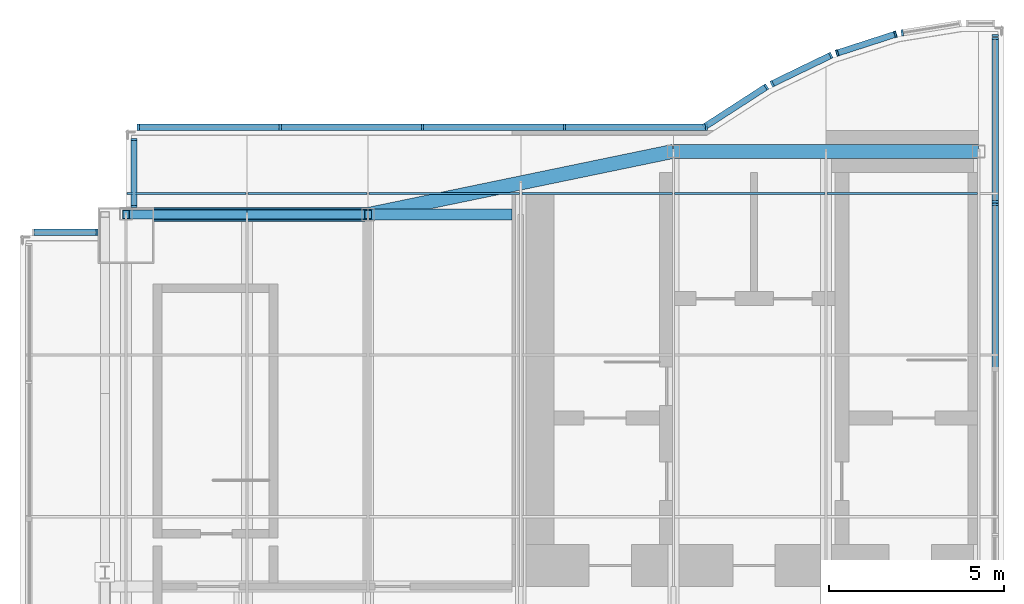
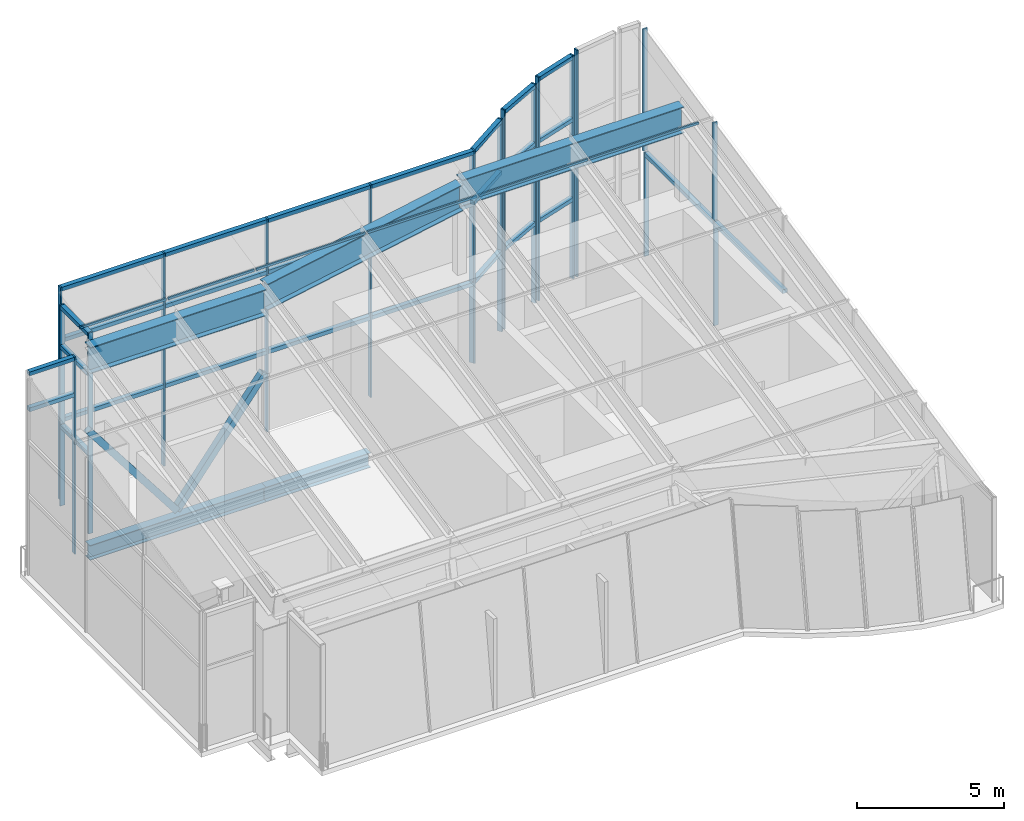
# One storey, part 3 of 8: 55 members, 5 beams, 10 elements without a shape of their own.
"""IFC4 building model written with IfcOpenShell, lengths in metres."""

from ifc_helpers import new_model, si_unit, direction, frame, origin, origin_2d, place, context, subcontext, project, spatial, rectangle, hollow_rectangle, i_section, extrude, material, material_profile, profile_set, type_object, element, aggregate, save


model = new_model("IFC4")

# Units and contexts
model_context = context("Model", 3, precision=1e-05, world=origin(), true_north=direction((0.0, 1.0)))
body_context = subcontext(model_context, "Body", "Model", "MODEL_VIEW")
ifc_project = project(units=[si_unit("LENGTHUNIT", "METRE"), si_unit("AREAUNIT", "SQUARE_METRE"), si_unit("VOLUMEUNIT", "CUBIC_METRE"), si_unit("PLANEANGLEUNIT", "RADIAN"), si_unit("MASSUNIT", "GRAM", prefix="KILO")], contexts=[model_context])

# Site, building, storey
site_placement = place(None, origin())
site = spatial("IfcSite", under=ifc_project, at=site_placement, CompositionType="ELEMENT")
building_placement = place(site_placement, origin())
building = spatial("IfcBuilding", under=site, at=building_placement, Name="Bicima Exchange Tower", CompositionType="ELEMENT")
storey_placement = place(building_placement, frame((0.0, 0.0, 379.39990234375)))
storey = spatial("IfcBuildingStorey", under=building, at=storey_placement, Name="L85", CompositionType="ELEMENT", Elevation=379.39990234375)

# Curtain wall, members
ifc_material_1 = material(Name="Anodised bronze aluminium", Category="aluminium")
curtain_wall_type = type_object("IfcCurtainWallType", Name="Crown glass wall", PredefinedType="NOTDEFINED", material=ifc_material_1)
curtain_wall_1_placement = place(storey_placement, origin())
curtain_wall_1 = element("IfcCurtainWall", 1, at=curtain_wall_1_placement, inside=storey, type_object=curtain_wall_type, Name="Crown glass wall L85 run 2", PredefinedType="NOTDEFINED")
ifc_material_profile_1 = material_profile(ifc_material_1, rectangle(XDim=0.179931640625, YDim=0.06005859375, at=origin_2d()))
ifc_profile_set_1 = profile_set([ifc_material_profile_1], Name="Anodised bronze aluminium")
member_type_1 = type_object("IfcMemberType", Name="Crown glass wall mullion 60 x 180", PredefinedType="MULLION", material=ifc_profile_set_1)
member_1_placement = place(storey_placement, frame((-8.22998046875, -2.109619140625, 0.0), z_axis=(0.0, 0.0, 1.0), x_axis=(-1.0, 0.0, 0.0)))
member_1 = element("IfcMember", 2, at=member_1_placement, type_object=member_type_1, Name="Crown glass wall mullion 5", PredefinedType="MULLION", context=body_context, shape_type="SweptSolid", body=[
    extrude(rectangle(XDim=0.179931640625, YDim=0.06005859375, at=origin_2d()), origin(), (0.0, 0.0, 1.0), 4.317626953125),
])
member_2_placement = place(storey_placement, frame((-8.22998046875, 2.613037109375, 0.0), z_axis=(0.0, 0.0, 1.0), x_axis=(-1.0, 0.0, 0.0)))
member_2 = element("IfcMember", 3, at=member_2_placement, type_object=member_type_1, Name="Crown glass wall mullion 6", PredefinedType="MULLION", context=body_context, shape_type="SweptSolid", body=[
    extrude(rectangle(XDim=0.179931640625, YDim=0.06005859375, at=origin_2d()), origin(), (0.0, 0.0, 1.0), 4.317626953125),
])

# Curtain wall, member
curtain_wall_2_placement = place(storey_placement, origin())
curtain_wall_2 = element("IfcCurtainWall", 4, at=curtain_wall_2_placement, inside=storey, type_object=curtain_wall_type, Name="Crown glass wall L85 run 4", PredefinedType="NOTDEFINED")
member_3_placement = place(storey_placement, frame((-10.878662109375, 2.777587890625, 0.0), z_axis=(0.0, 0.0, 1.0), x_axis=(0.159550386184, -0.987189786347, 0.0)))
member_3 = element("IfcMember", 5, at=member_3_placement, type_object=member_type_1, Name="Crown glass wall mullion 2", PredefinedType="MULLION", context=body_context, shape_type="SweptSolid", body=[
    extrude(rectangle(XDim=0.179931640625, YDim=0.06005859375, at=origin_2d()), origin(), (0.0, 0.0, 1.0), 9.377197265625),
])
aggregate(curtain_wall_2, [member_3])

# Curtain wall, members
curtain_wall_3_placement = place(storey_placement, origin())
curtain_wall_3 = element("IfcCurtainWall", 6, at=curtain_wall_3_placement, inside=storey, type_object=curtain_wall_type, Name="Crown glass wall L85 run 5", PredefinedType="NOTDEFINED")
member_4_placement = place(storey_placement, frame((-11.072998046875, 2.73779296875, 0.0), z_axis=(0.0, 0.0, 1.0), x_axis=(0.307572519808, -0.951524642381, 0.0)))
member_4 = element("IfcMember", 7, at=member_4_placement, type_object=member_type_1, Name="Crown glass wall mullion 1", PredefinedType="MULLION", context=body_context, shape_type="SweptSolid", body=[
    extrude(rectangle(XDim=0.179931640625, YDim=0.06005859375, at=origin_2d()), origin(), (0.0, 0.0, 1.0), 9.25390625),
])
member_5_placement = place(storey_placement, frame((-12.731689453125, 2.20166015625, 0.0), z_axis=(0.0, 0.0, 1.0), x_axis=(0.307572519808, -0.951524642381, 0.0)))
member_5 = element("IfcMember", 8, at=member_5_placement, type_object=member_type_1, Name="Crown glass wall mullion 2", PredefinedType="MULLION", context=body_context, shape_type="SweptSolid", body=[
    extrude(rectangle(XDim=0.179931640625, YDim=0.06005859375, at=origin_2d()), origin(), (0.0, 0.0, 1.0), 9.25390625),
])

curtain_wall_4_placement = place(storey_placement, origin())
curtain_wall_4 = element("IfcCurtainWall", 9, at=curtain_wall_4_placement, inside=storey, type_object=curtain_wall_type, Name="Crown glass wall L85 run 6", PredefinedType="NOTDEFINED")
member_6_placement = place(storey_placement, frame((-12.913818359375, 2.135009765625, 0.0), z_axis=(0.0, 0.0, 1.0), x_axis=(0.436264762204, -0.899818346812, 0.0)))
member_6 = element("IfcMember", 10, at=member_6_placement, type_object=member_type_1, Name="Crown glass wall mullion 1", PredefinedType="MULLION", context=body_context, shape_type="SweptSolid", body=[
    extrude(rectangle(XDim=0.179931640625, YDim=0.06005859375, at=origin_2d()), origin(), (0.0, 0.0, 1.0), 9.066650390625),
])
member_7_placement = place(storey_placement, frame((-14.585205078125, 1.32470703125, 0.0), z_axis=(0.0, 0.0, 1.0), x_axis=(0.436264762204, -0.899818346812, 0.0)))
member_7 = element("IfcMember", 11, at=member_7_placement, type_object=member_type_1, Name="Crown glass wall mullion 2", PredefinedType="MULLION", context=body_context, shape_type="SweptSolid", body=[
    extrude(rectangle(XDim=0.179931640625, YDim=0.06005859375, at=origin_2d()), origin(), (0.0, 0.0, 1.0), 9.066650390625),
])

curtain_wall_5_placement = place(storey_placement, origin())
curtain_wall_5 = element("IfcCurtainWall", 12, at=curtain_wall_5_placement, inside=storey, type_object=curtain_wall_type, Name="Crown glass wall L85 run 7", PredefinedType="NOTDEFINED")
member_8_placement = place(storey_placement, frame((-14.752685546875, 1.23681640625, 0.0), z_axis=(0.0, 0.0, 1.0), x_axis=(0.542910648791, -0.839790466384, 0.0)))
member_8 = element("IfcMember", 13, at=member_8_placement, type_object=member_type_1, Name="Crown glass wall mullion 1", PredefinedType="MULLION", context=body_context, shape_type="SweptSolid", body=[
    extrude(rectangle(XDim=0.179931640625, YDim=0.06005859375, at=origin_2d()), origin(), (0.0, 0.0, 1.0), 8.806396484375),
])
member_9_placement = place(storey_placement, frame((-16.505126953125, 0.10400390625, 0.0), z_axis=(0.0, 0.0, 1.0), x_axis=(0.542910648791, -0.839790466384, 0.0)))
member_9 = element("IfcMember", 14, at=member_9_placement, type_object=member_type_1, Name="Crown glass wall mullion 2", PredefinedType="MULLION", context=body_context, shape_type="SweptSolid", body=[
    extrude(rectangle(XDim=0.179931640625, YDim=0.06005859375, at=origin_2d()), origin(), (0.0, 0.0, 1.0), 8.806396484375),
])

curtain_wall_6_placement = place(storey_placement, origin())
curtain_wall_6 = element("IfcCurtainWall", 15, at=curtain_wall_6_placement, inside=storey, type_object=curtain_wall_type, Name="Crown glass wall L85 run 8", PredefinedType="NOTDEFINED")
member_10_placement = place(storey_placement, frame((-16.462158203125, 0.090087890625, 0.0), z_axis=(0.0, 0.0, 1.0), x_axis=(0.0, -1.0, 0.0)))
member_10 = element("IfcMember", 16, at=member_10_placement, type_object=member_type_1, Name="Crown glass wall mullion 1", PredefinedType="MULLION", context=body_context, shape_type="SweptSolid", body=[
    extrude(rectangle(XDim=0.179931640625, YDim=0.06005859375, at=origin_2d()), origin(), (0.0, 0.0, 1.0), 8.806884765625),
])
member_11_placement = place(storey_placement, frame((-20.509033203125, 0.090087890625, 0.0), z_axis=(0.0, 0.0, 1.0), x_axis=(0.0, -1.0, 0.0)))
member_11 = element("IfcMember", 17, at=member_11_placement, type_object=member_type_1, Name="Crown glass wall mullion 2", PredefinedType="MULLION", context=body_context, shape_type="SweptSolid", body=[
    extrude(rectangle(XDim=0.179931640625, YDim=0.06005859375, at=origin_2d()), origin(), (0.0, 0.0, 1.0), 8.806884765625),
])
member_12_placement = place(storey_placement, frame((-24.55615234375, 0.090087890625, 0.0), z_axis=(0.0, 0.0, 1.0), x_axis=(0.0, -1.0, 0.0)))
member_12 = element("IfcMember", 18, at=member_12_placement, type_object=member_type_1, Name="Crown glass wall mullion 3", PredefinedType="MULLION", context=body_context, shape_type="SweptSolid", body=[
    extrude(rectangle(XDim=0.179931640625, YDim=0.06005859375, at=origin_2d()), origin(), (0.0, 0.0, 1.0), 8.806884765625),
])
member_13_placement = place(storey_placement, frame((-28.60302734375, 0.090087890625, 0.0), z_axis=(0.0, 0.0, 1.0), x_axis=(0.0, -1.0, 0.0)))
member_13 = element("IfcMember", 19, at=member_13_placement, type_object=member_type_1, Name="Crown glass wall mullion 4", PredefinedType="MULLION", context=body_context, shape_type="SweptSolid", body=[
    extrude(rectangle(XDim=0.179931640625, YDim=0.06005859375, at=origin_2d()), origin(), (0.0, 0.0, 1.0), 8.806884765625),
])
member_14_placement = place(storey_placement, frame((-32.64990234375, 0.090087890625, 0.0), z_axis=(0.0, 0.0, 1.0), x_axis=(0.0, -1.0, 0.0)))
member_14 = element("IfcMember", 20, at=member_14_placement, type_object=member_type_1, Name="Crown glass wall mullion 5", PredefinedType="MULLION", context=body_context, shape_type="SweptSolid", body=[
    extrude(rectangle(XDim=0.179931640625, YDim=0.06005859375, at=origin_2d()), origin(), (0.0, 0.0, 1.0), 8.806884765625),
])

curtain_wall_7_placement = place(storey_placement, origin())
curtain_wall_7 = element("IfcCurtainWall", 21, at=curtain_wall_7_placement, inside=storey, type_object=curtain_wall_type, Name="Crown glass wall L85 run 9", PredefinedType="NOTDEFINED")
member_15_placement = place(storey_placement, frame((-32.77001953125, -0.260009765625, 0.0), z_axis=(0.0, 0.0, 1.0), x_axis=(1.0, 0.0, 0.0)))
member_15 = element("IfcMember", 22, at=member_15_placement, type_object=member_type_1, Name="Crown glass wall mullion 1", PredefinedType="MULLION", context=body_context, shape_type="SweptSolid", body=[
    extrude(rectangle(XDim=0.179931640625, YDim=0.06005859375, at=origin_2d()), origin(), (0.0, 0.0, 1.0), 8.320068359375),
])
member_16_placement = place(storey_placement, frame((-32.77001953125, -2.169921875, 0.0), z_axis=(0.0, 0.0, 1.0), x_axis=(1.0, 0.0, 0.0)))
member_16 = element("IfcMember", 23, at=member_16_placement, type_object=member_type_1, Name="Crown glass wall mullion 2", PredefinedType="MULLION", context=body_context, shape_type="SweptSolid", body=[
    extrude(rectangle(XDim=0.179931640625, YDim=0.06005859375, at=origin_2d()), origin(), (0.0, 0.0, 1.0), 8.320068359375),
])

# Curtain wall, member
curtain_wall_8_placement = place(storey_placement, origin())
curtain_wall_8 = element("IfcCurtainWall", 24, at=curtain_wall_8_placement, inside=storey, type_object=curtain_wall_type, Name="Crown glass wall L85 run 10", PredefinedType="NOTDEFINED")
member_17_placement = place(storey_placement, frame((-33.830078125, -2.909912109375, 0.0), z_axis=(0.0, 0.0, 1.0), x_axis=(0.0, -1.0, 0.0)))
member_17 = element("IfcMember", 25, at=member_17_placement, type_object=member_type_1, Name="Crown glass wall mullion 1", PredefinedType="MULLION", context=body_context, shape_type="SweptSolid", body=[
    extrude(rectangle(XDim=0.179931640625, YDim=0.06005859375, at=origin_2d()), origin(), (0.0, 0.0, 1.0), 8.169189453125),
])

# Curtain wall, members
curtain_wall_9_placement = place(storey_placement, origin())
curtain_wall_9 = element("IfcCurtainWall", 26, at=curtain_wall_9_placement, inside=storey, type_object=curtain_wall_type, Name="Gable glazing west 2", PredefinedType="NOTDEFINED")
member_18_placement = place(storey_placement, frame((-8.22998046875, -2.03759765625, 4.317626953125), z_axis=(0.0, 0.0, 1.0), x_axis=(-1.0, 0.0, 0.0)))
member_18 = element("IfcMember", 27, at=member_18_placement, type_object=member_type_1, Name="Gable glazing mullion 5", PredefinedType="MULLION", context=body_context, shape_type="SweptSolid", body=[
    extrude(rectangle(XDim=0.179931640625, YDim=0.06005859375, at=origin_2d()), origin(), (0.0, 0.0, 1.0), 4.037109375),
])
member_19_placement = place(storey_placement, frame((-8.22998046875, 2.702880859375, 4.317626953125), z_axis=(0.0, 0.0, 1.0), x_axis=(-1.0, 0.0, 0.0)))
member_19 = element("IfcMember", 28, at=member_19_placement, type_object=member_type_1, Name="Gable glazing mullion 6", PredefinedType="MULLION", context=body_context, shape_type="SweptSolid", body=[
    extrude(rectangle(XDim=0.179931640625, YDim=0.06005859375, at=origin_2d()), origin(), (0.0, 0.0, 1.0), 5.044677734375),
])
aggregate(curtain_wall_9, [member_18, member_19])

# Member
ifc_material_profile_2 = material_profile(ifc_material_1, rectangle(XDim=0.179931640625, YDim=0.159912109375, at=origin_2d()))
ifc_profile_set_2 = profile_set([ifc_material_profile_2], Name="Anodised bronze aluminium")
member_type_2 = type_object("IfcMemberType", Name="Crown glass wall transom 160 x 180", PredefinedType="USERDEFINED", material=ifc_profile_set_2)
member_20_placement = place(storey_placement, frame((-8.22998046875, -6.80224609375, 4.23779296875), z_axis=(0.0, 1.0, 0.0), x_axis=(-1.0, 0.0, 0.0)))
member_20 = element("IfcMember", 29, at=member_20_placement, type_object=member_type_2, Name="Crown glass wall transom 4.1", ObjectType="TRANSOM", PredefinedType="USERDEFINED", context=body_context, shape_type="SweptSolid", body=[
    extrude(rectangle(XDim=0.179931640625, YDim=0.159912109375, at=origin_2d()), origin(), (0.0, 0.0, 1.0), 4.66259765625),
])

member_21_placement = place(storey_placement, frame((-8.22998046875, -2.07958984375, 4.23779296875), z_axis=(0.0, 1.0, 0.0), x_axis=(-1.0, 0.0, 0.0)))
member_21 = element("IfcMember", 30, at=member_21_placement, type_object=member_type_2, Name="Crown glass wall transom 5.1", ObjectType="TRANSOM", PredefinedType="USERDEFINED", context=body_context, shape_type="SweptSolid", body=[
    extrude(rectangle(XDim=0.179931640625, YDim=0.159912109375, at=origin_2d()), origin(), (0.0, 0.0, 1.0), 4.66259765625),
])

aggregate(curtain_wall_1, [member_1, member_2, member_20, member_21])

member_22_placement = place(storey_placement, frame((-11.1015625, 2.728515625, 3.300048828125), z_axis=(-0.951488244605, -0.307685099376, 0.0), x_axis=(0.307685099376, -0.951488244605, 0.0)))
member_22 = element("IfcMember", 31, at=member_22_placement, type_object=member_type_2, Name="Crown glass wall transom 1.1", ObjectType="TRANSOM", PredefinedType="USERDEFINED", context=body_context, shape_type="SweptSolid", body=[
    extrude(rectangle(XDim=0.179931640625, YDim=0.159912109375, at=origin_2d()), origin(), (0.0, 0.0, 1.0), 1.682861328125),
])

member_23_placement = place(storey_placement, frame((-11.1015625, 2.728515625, 6.60009765625), z_axis=(-0.951488244605, -0.307685099376, 0.0), x_axis=(0.307685099376, -0.951488244605, 0.0)))
member_23 = element("IfcMember", 32, at=member_23_placement, type_object=member_type_2, Name="Crown glass wall transom 1.2", ObjectType="TRANSOM", PredefinedType="USERDEFINED", context=body_context, shape_type="SweptSolid", body=[
    extrude(rectangle(XDim=0.179931640625, YDim=0.159912109375, at=origin_2d()), origin(), (0.0, 0.0, 1.0), 1.682861328125),
])

member_24_placement = place(storey_placement, frame((-11.1015625, 2.728515625, 9.173828125), z_axis=(-0.951488244605, -0.307685099376, 0.0), x_axis=(0.307685099376, -0.951488244605, 0.0)))
member_24 = element("IfcMember", 33, at=member_24_placement, type_object=member_type_2, Name="Crown glass wall transom 1.3", ObjectType="TRANSOM", PredefinedType="USERDEFINED", context=body_context, shape_type="SweptSolid", body=[
    extrude(rectangle(XDim=0.179931640625, YDim=0.159912109375, at=origin_2d()), origin(), (0.0, 0.0, 1.0), 1.682861328125),
])

aggregate(curtain_wall_3, [member_4, member_5, member_22, member_23, member_24])

member_25_placement = place(storey_placement, frame((-12.94091796875, 2.121826171875, 3.300048828125), z_axis=(-0.899873884154, -0.436150195022, 0.0), x_axis=(0.436150195022, -0.899873884154, 0.0)))
member_25 = element("IfcMember", 34, at=member_25_placement, type_object=member_type_2, Name="Crown glass wall transom 1.1", ObjectType="TRANSOM", PredefinedType="USERDEFINED", context=body_context, shape_type="SweptSolid", body=[
    extrude(rectangle(XDim=0.179931640625, YDim=0.159912109375, at=origin_2d()), origin(), (0.0, 0.0, 1.0), 1.79736328125),
])

member_26_placement = place(storey_placement, frame((-12.94091796875, 2.121826171875, 6.60009765625), z_axis=(-0.899873884154, -0.436150195022, 0.0), x_axis=(0.436150195022, -0.899873884154, 0.0)))
member_26 = element("IfcMember", 35, at=member_26_placement, type_object=member_type_2, Name="Crown glass wall transom 1.2", ObjectType="TRANSOM", PredefinedType="USERDEFINED", context=body_context, shape_type="SweptSolid", body=[
    extrude(rectangle(XDim=0.179931640625, YDim=0.159912109375, at=origin_2d()), origin(), (0.0, 0.0, 1.0), 1.79736328125),
])

member_27_placement = place(storey_placement, frame((-12.94091796875, 2.121826171875, 8.986572265625), z_axis=(-0.899873884154, -0.436150195022, 0.0), x_axis=(0.436150195022, -0.899873884154, 0.0)))
member_27 = element("IfcMember", 36, at=member_27_placement, type_object=member_type_2, Name="Crown glass wall transom 1.3", ObjectType="TRANSOM", PredefinedType="USERDEFINED", context=body_context, shape_type="SweptSolid", body=[
    extrude(rectangle(XDim=0.179931640625, YDim=0.159912109375, at=origin_2d()), origin(), (0.0, 0.0, 1.0), 1.79736328125),
])

aggregate(curtain_wall_4, [member_6, member_7, member_25, member_26, member_27])

member_28_placement = place(storey_placement, frame((-14.77783203125, 1.220703125, 3.300048828125), z_axis=(-0.839751073679, -0.54297157776, 0.0), x_axis=(0.54297157776, -0.839751073679, 0.0)))
member_28 = element("IfcMember", 37, at=member_28_placement, type_object=member_type_2, Name="Crown glass wall transom 1.1", ObjectType="TRANSOM", PredefinedType="USERDEFINED", context=body_context, shape_type="SweptSolid", body=[
    extrude(rectangle(XDim=0.179931640625, YDim=0.159912109375, at=origin_2d()), origin(), (0.0, 0.0, 1.0), 2.02685546875),
])

member_29_placement = place(storey_placement, frame((-14.77783203125, 1.220703125, 6.60009765625), z_axis=(-0.839751073679, -0.54297157776, 0.0), x_axis=(0.54297157776, -0.839751073679, 0.0)))
member_29 = element("IfcMember", 38, at=member_29_placement, type_object=member_type_2, Name="Crown glass wall transom 1.2", ObjectType="TRANSOM", PredefinedType="USERDEFINED", context=body_context, shape_type="SweptSolid", body=[
    extrude(rectangle(XDim=0.179931640625, YDim=0.159912109375, at=origin_2d()), origin(), (0.0, 0.0, 1.0), 2.02685546875),
])

member_30_placement = place(storey_placement, frame((-14.77783203125, 1.220703125, 8.726318359375), z_axis=(-0.839751073679, -0.54297157776, 0.0), x_axis=(0.54297157776, -0.839751073679, 0.0)))
member_30 = element("IfcMember", 39, at=member_30_placement, type_object=member_type_2, Name="Crown glass wall transom 1.3", ObjectType="TRANSOM", PredefinedType="USERDEFINED", context=body_context, shape_type="SweptSolid", body=[
    extrude(rectangle(XDim=0.179931640625, YDim=0.159912109375, at=origin_2d()), origin(), (0.0, 0.0, 1.0), 2.02685546875),
])

aggregate(curtain_wall_5, [member_8, member_9, member_28, member_29, member_30])

member_31_placement = place(storey_placement, frame((-16.4921875, 0.090087890625, 3.300048828125), z_axis=(-1.0, 0.0, 0.0), x_axis=(0.0, -1.0, 0.0)))
member_31 = element("IfcMember", 40, at=member_31_placement, type_object=member_type_2, Name="Crown glass wall transom 1.1", ObjectType="TRANSOM", PredefinedType="USERDEFINED", context=body_context, shape_type="SweptSolid", body=[
    extrude(rectangle(XDim=0.179931640625, YDim=0.159912109375, at=origin_2d()), origin(), (0.0, 0.0, 1.0), 3.98681640625),
])

member_32_placement = place(storey_placement, frame((-16.4921875, 0.090087890625, 6.60009765625), z_axis=(-1.0, 0.0, 0.0), x_axis=(0.0, -1.0, 0.0)))
member_32 = element("IfcMember", 41, at=member_32_placement, type_object=member_type_2, Name="Crown glass wall transom 1.2", ObjectType="TRANSOM", PredefinedType="USERDEFINED", context=body_context, shape_type="SweptSolid", body=[
    extrude(rectangle(XDim=0.179931640625, YDim=0.159912109375, at=origin_2d()), origin(), (0.0, 0.0, 1.0), 3.98681640625),
])

member_33_placement = place(storey_placement, frame((-16.4921875, 0.090087890625, 8.726806640625), z_axis=(-1.0, 0.0, 0.0), x_axis=(0.0, -1.0, 0.0)))
member_33 = element("IfcMember", 42, at=member_33_placement, type_object=member_type_2, Name="Crown glass wall transom 1.3", ObjectType="TRANSOM", PredefinedType="USERDEFINED", context=body_context, shape_type="SweptSolid", body=[
    extrude(rectangle(XDim=0.179931640625, YDim=0.159912109375, at=origin_2d()), origin(), (0.0, 0.0, 1.0), 3.98681640625),
])

member_34_placement = place(storey_placement, frame((-20.5390625, 0.090087890625, 3.300048828125), z_axis=(-1.0, 0.0, 0.0), x_axis=(0.0, -1.0, 0.0)))
member_34 = element("IfcMember", 43, at=member_34_placement, type_object=member_type_2, Name="Crown glass wall transom 2.1", ObjectType="TRANSOM", PredefinedType="USERDEFINED", context=body_context, shape_type="SweptSolid", body=[
    extrude(rectangle(XDim=0.179931640625, YDim=0.159912109375, at=origin_2d()), origin(), (0.0, 0.0, 1.0), 3.987060546875),
])

member_35_placement = place(storey_placement, frame((-20.5390625, 0.090087890625, 6.60009765625), z_axis=(-1.0, 0.0, 0.0), x_axis=(0.0, -1.0, 0.0)))
member_35 = element("IfcMember", 44, at=member_35_placement, type_object=member_type_2, Name="Crown glass wall transom 2.2", ObjectType="TRANSOM", PredefinedType="USERDEFINED", context=body_context, shape_type="SweptSolid", body=[
    extrude(rectangle(XDim=0.179931640625, YDim=0.159912109375, at=origin_2d()), origin(), (0.0, 0.0, 1.0), 3.987060546875),
])

member_36_placement = place(storey_placement, frame((-20.5390625, 0.090087890625, 8.726806640625), z_axis=(-1.0, 0.0, 0.0), x_axis=(0.0, -1.0, 0.0)))
member_36 = element("IfcMember", 45, at=member_36_placement, type_object=member_type_2, Name="Crown glass wall transom 2.3", ObjectType="TRANSOM", PredefinedType="USERDEFINED", context=body_context, shape_type="SweptSolid", body=[
    extrude(rectangle(XDim=0.179931640625, YDim=0.159912109375, at=origin_2d()), origin(), (0.0, 0.0, 1.0), 3.987060546875),
])

member_37_placement = place(storey_placement, frame((-24.586181640625, 0.090087890625, 3.300048828125), z_axis=(-1.0, 0.0, 0.0), x_axis=(0.0, -1.0, 0.0)))
member_37 = element("IfcMember", 46, at=member_37_placement, type_object=member_type_2, Name="Crown glass wall transom 3.1", ObjectType="TRANSOM", PredefinedType="USERDEFINED", context=body_context, shape_type="SweptSolid", body=[
    extrude(rectangle(XDim=0.179931640625, YDim=0.159912109375, at=origin_2d()), origin(), (0.0, 0.0, 1.0), 3.98681640625),
])

member_38_placement = place(storey_placement, frame((-24.586181640625, 0.090087890625, 6.60009765625), z_axis=(-1.0, 0.0, 0.0), x_axis=(0.0, -1.0, 0.0)))
member_38 = element("IfcMember", 47, at=member_38_placement, type_object=member_type_2, Name="Crown glass wall transom 3.2", ObjectType="TRANSOM", PredefinedType="USERDEFINED", context=body_context, shape_type="SweptSolid", body=[
    extrude(rectangle(XDim=0.179931640625, YDim=0.159912109375, at=origin_2d()), origin(), (0.0, 0.0, 1.0), 3.98681640625),
])

member_39_placement = place(storey_placement, frame((-24.586181640625, 0.090087890625, 8.726806640625), z_axis=(-1.0, 0.0, 0.0), x_axis=(0.0, -1.0, 0.0)))
member_39 = element("IfcMember", 48, at=member_39_placement, type_object=member_type_2, Name="Crown glass wall transom 3.3", ObjectType="TRANSOM", PredefinedType="USERDEFINED", context=body_context, shape_type="SweptSolid", body=[
    extrude(rectangle(XDim=0.179931640625, YDim=0.159912109375, at=origin_2d()), origin(), (0.0, 0.0, 1.0), 3.98681640625),
])

member_40_placement = place(storey_placement, frame((-28.633056640625, 0.090087890625, 3.300048828125), z_axis=(-1.0, 0.0, 0.0), x_axis=(0.0, -1.0, 0.0)))
member_40 = element("IfcMember", 49, at=member_40_placement, type_object=member_type_2, Name="Crown glass wall transom 4.1", ObjectType="TRANSOM", PredefinedType="USERDEFINED", context=body_context, shape_type="SweptSolid", body=[
    extrude(rectangle(XDim=0.179931640625, YDim=0.159912109375, at=origin_2d()), origin(), (0.0, 0.0, 1.0), 3.987060546875),
])

member_41_placement = place(storey_placement, frame((-28.633056640625, 0.090087890625, 6.60009765625), z_axis=(-1.0, 0.0, 0.0), x_axis=(0.0, -1.0, 0.0)))
member_41 = element("IfcMember", 50, at=member_41_placement, type_object=member_type_2, Name="Crown glass wall transom 4.2", ObjectType="TRANSOM", PredefinedType="USERDEFINED", context=body_context, shape_type="SweptSolid", body=[
    extrude(rectangle(XDim=0.179931640625, YDim=0.159912109375, at=origin_2d()), origin(), (0.0, 0.0, 1.0), 3.987060546875),
])

member_42_placement = place(storey_placement, frame((-28.633056640625, 0.090087890625, 8.726806640625), z_axis=(-1.0, 0.0, 0.0), x_axis=(0.0, -1.0, 0.0)))
member_42 = element("IfcMember", 51, at=member_42_placement, type_object=member_type_2, Name="Crown glass wall transom 4.3", ObjectType="TRANSOM", PredefinedType="USERDEFINED", context=body_context, shape_type="SweptSolid", body=[
    extrude(rectangle(XDim=0.179931640625, YDim=0.159912109375, at=origin_2d()), origin(), (0.0, 0.0, 1.0), 3.987060546875),
])

aggregate(curtain_wall_6, [member_10, member_11, member_12, member_13, member_14, member_31, member_32, member_33, member_34, member_35, member_36, member_37, member_38, member_39, member_40, member_41, member_42])

member_43_placement = place(storey_placement, frame((-32.77001953125, -0.2900390625, 3.300048828125), z_axis=(0.0, -1.0, 0.0), x_axis=(1.0, 0.0, 0.0)))
member_43 = element("IfcMember", 52, at=member_43_placement, type_object=member_type_2, Name="Crown glass wall transom 1.1", ObjectType="TRANSOM", PredefinedType="USERDEFINED", context=body_context, shape_type="SweptSolid", body=[
    extrude(rectangle(XDim=0.179931640625, YDim=0.159912109375, at=origin_2d()), origin(), (0.0, 0.0, 1.0), 1.849853515625),
])

member_44_placement = place(storey_placement, frame((-32.77001953125, -0.2900390625, 6.60009765625), z_axis=(0.0, -1.0, 0.0), x_axis=(1.0, 0.0, 0.0)))
member_44 = element("IfcMember", 53, at=member_44_placement, type_object=member_type_2, Name="Crown glass wall transom 1.2", ObjectType="TRANSOM", PredefinedType="USERDEFINED", context=body_context, shape_type="SweptSolid", body=[
    extrude(rectangle(XDim=0.179931640625, YDim=0.159912109375, at=origin_2d()), origin(), (0.0, 0.0, 1.0), 1.849853515625),
])

member_45_placement = place(storey_placement, frame((-32.77001953125, -0.2900390625, 8.239990234375), z_axis=(0.0, -1.0, 0.0), x_axis=(1.0, 0.0, 0.0)))
member_45 = element("IfcMember", 54, at=member_45_placement, type_object=member_type_2, Name="Crown glass wall transom 1.3", ObjectType="TRANSOM", PredefinedType="USERDEFINED", context=body_context, shape_type="SweptSolid", body=[
    extrude(rectangle(XDim=0.179931640625, YDim=0.159912109375, at=origin_2d()), origin(), (0.0, 0.0, 1.0), 1.849853515625),
])

aggregate(curtain_wall_7, [member_15, member_16, member_43, member_44, member_45])

member_46_placement = place(storey_placement, frame((-33.860107421875, -2.909912109375, 6.60009765625), z_axis=(-1.0, 0.0, 0.0), x_axis=(0.0, -1.0, 0.0)))
member_46 = element("IfcMember", 55, at=member_46_placement, type_object=member_type_2, Name="Crown glass wall transom 1.2", ObjectType="TRANSOM", PredefinedType="USERDEFINED", context=body_context, shape_type="SweptSolid", body=[
    extrude(rectangle(XDim=0.179931640625, YDim=0.159912109375, at=origin_2d()), origin(), (0.0, 0.0, 1.0), 1.760009765625),
])

member_47_placement = place(storey_placement, frame((-33.860107421875, -2.909912109375, 8.089111328125), z_axis=(-1.0, 0.0, 0.0), x_axis=(0.0, -1.0, 0.0)))
member_47 = element("IfcMember", 56, at=member_47_placement, type_object=member_type_2, Name="Crown glass wall transom 1.3", ObjectType="TRANSOM", PredefinedType="USERDEFINED", context=body_context, shape_type="SweptSolid", body=[
    extrude(rectangle(XDim=0.179931640625, YDim=0.159912109375, at=origin_2d()), origin(), (0.0, 0.0, 1.0), 1.760009765625),
])

aggregate(curtain_wall_8, [member_17, member_46, member_47])

# Members
ifc_material_2 = material(Name="Steel ASTM A572 Gr 50", Category="steel")
ifc_material_profile_3 = material_profile(ifc_material_2, hollow_rectangle(XDim=0.25390625, YDim=0.25390625, WallThickness=0.01171875, at=origin_2d()))
ifc_profile_set_3 = profile_set([ifc_material_profile_3], Name="Steel ASTM A572 Gr 50")
member_type_3 = type_object("IfcMemberType", Name="Mega brace HSS10x10x1/2", PredefinedType="BRACE", material=ifc_profile_set_3)
for number, where, z_axis, x_axis, name in (
    (57, (-29.550048828125, -2.39990234375, 0.0), (0.608426120198, 0.0, 0.793610519248), (0.0, 1.0, 0.0), "Mega brace rear"),
    (58, (-29.550048828125, -2.39990234375, 0.0), (-0.608426120198, 0.0, 0.793610519248), (0.0, -1.0, 0.0), "Mega brace rear"),
):
    element("IfcMember", number, at=place(storey_placement, frame(where, z_axis=z_axis, x_axis=x_axis)), inside=storey, type_object=member_type_3, Name=name, PredefinedType="BRACE", context=body_context, shape_type="SweptSolid", body=[
        extrude(hollow_rectangle(XDim=0.25390625, YDim=0.25390625, WallThickness=0.01171875, at=origin_2d()), origin(), (0.0, 0.0, 1.0), 5.670166015625),
    ])

# Beams
ifc_material_3 = material(Name="Steel ASTM A992 Gr 50", Category="steel")
ifc_material_profile_4 = material_profile(ifc_material_3, i_section(OverallWidth=0.3251953125, OverallDepth=0.612060546875, WebThickness=0.0126953125, FlangeThickness=0.01904296875, at=origin_2d()))
ifc_profile_set_4 = profile_set([ifc_material_profile_4], Name="Steel ASTM A992 Gr 50")
beam_type_1 = type_object("IfcBeamType", Name="Rear girder W24x104", PredefinedType="BEAM", material=ifc_profile_set_4)
beam_1_placement = place(storey_placement, frame((-22.0, -2.39990234375, -0.506103515625), z_axis=(-1.0, 0.0, 0.0), x_axis=(0.0, -1.0, 0.0)))
element("IfcBeam", 59, at=beam_1_placement, inside=storey, type_object=beam_type_1, Name="Rear girder", PredefinedType="BEAM", context=body_context, shape_type="SweptSolid", body=[
    extrude(i_section(OverallWidth=0.3251953125, OverallDepth=0.612060546875, WebThickness=0.0126953125, FlangeThickness=0.01904296875, at=origin_2d()), origin(), (0.0, 0.0, 1.0), 4.10009765625),
])
beam_2_placement = place(storey_placement, frame((-26.10009765625, -2.39990234375, -0.506103515625), z_axis=(-1.0, 0.0, 0.0), x_axis=(0.0, -1.0, 0.0)))
element("IfcBeam", 60, at=beam_2_placement, inside=storey, type_object=beam_type_1, Name="Rear girder", PredefinedType="BEAM", context=body_context, shape_type="SweptSolid", body=[
    extrude(i_section(OverallWidth=0.3251953125, OverallDepth=0.612060546875, WebThickness=0.0126953125, FlangeThickness=0.01904296875, at=origin_2d()), origin(), (0.0, 0.0, 1.0), 6.89990234375),
])

# Curtain wall, members
curtain_wall_10_placement = place(storey_placement, origin())
curtain_wall_10 = element("IfcCurtainWall", 61, at=curtain_wall_10_placement, inside=storey, type_object=curtain_wall_type, Name="Roof glazing west", PredefinedType="NOTDEFINED")
ifc_material_profile_5 = material_profile(ifc_material_1, rectangle(XDim=0.06005859375, YDim=0.090087890625, at=origin_2d()))
ifc_profile_set_5 = profile_set([ifc_material_profile_5], Name="Anodised bronze aluminium")
member_type_4 = type_object("IfcMemberType", Name="Roof glazing bar 60 x 90", PredefinedType="USERDEFINED", material=ifc_profile_set_5)
member_48_placement = place(storey_placement, frame((-32.969970703125, -1.79638671875, 8.3544921875), z_axis=(1.0, 0.0, 0.0), x_axis=(0.0, 1.0, 0.0)))
member_48 = element("IfcMember", 62, at=member_48_placement, type_object=member_type_4, Name="Roof glazing bar west cross 4.2", ObjectType="GLAZING BAR", PredefinedType="USERDEFINED", context=body_context, shape_type="SweptSolid", body=[
    extrude(rectangle(XDim=0.06005859375, YDim=0.090087890625, at=origin_2d()), origin(), (0.0, 0.0, 1.0), 3.389892578125),
])
member_49_placement = place(storey_placement, frame((-29.52001953125, -1.79638671875, 8.3544921875), z_axis=(1.0, 0.0, 0.0), x_axis=(0.0, 1.0, 0.0)))
member_49 = element("IfcMember", 63, at=member_49_placement, type_object=member_type_4, Name="Roof glazing bar west cross 4.3", ObjectType="GLAZING BAR", PredefinedType="USERDEFINED", context=body_context, shape_type="SweptSolid", body=[
    extrude(rectangle(XDim=0.06005859375, YDim=0.090087890625, at=origin_2d()), origin(), (0.0, 0.0, 1.0), 3.39013671875),
])
member_50_placement = place(storey_placement, frame((-26.070068359375, -1.79638671875, 8.3544921875), z_axis=(1.0, 0.0, 0.0), x_axis=(0.0, 1.0, 0.0)))
member_50 = element("IfcMember", 64, at=member_50_placement, type_object=member_type_4, Name="Roof glazing bar west cross 4.4", ObjectType="GLAZING BAR", PredefinedType="USERDEFINED", context=body_context, shape_type="SweptSolid", body=[
    extrude(rectangle(XDim=0.06005859375, YDim=0.090087890625, at=origin_2d()), origin(), (0.0, 0.0, 1.0), 4.2900390625),
])
member_51_placement = place(storey_placement, frame((-21.719970703125, -1.79638671875, 8.3544921875), z_axis=(1.0, 0.0, 0.0), x_axis=(0.0, 1.0, 0.0)))
member_51 = element("IfcMember", 65, at=member_51_placement, type_object=member_type_4, Name="Roof glazing bar west cross 4.5", ObjectType="GLAZING BAR", PredefinedType="USERDEFINED", context=body_context, shape_type="SweptSolid", body=[
    extrude(rectangle(XDim=0.06005859375, YDim=0.090087890625, at=origin_2d()), origin(), (0.0, 0.0, 1.0), 4.2900390625),
])
member_52_placement = place(storey_placement, frame((-17.3701171875, -1.79638671875, 8.3544921875), z_axis=(1.0, 0.0, 0.0), x_axis=(0.0, 1.0, 0.0)))
member_52 = element("IfcMember", 66, at=member_52_placement, type_object=member_type_4, Name="Roof glazing bar west cross 4.6", ObjectType="GLAZING BAR", PredefinedType="USERDEFINED", context=body_context, shape_type="SweptSolid", body=[
    extrude(rectangle(XDim=0.06005859375, YDim=0.090087890625, at=origin_2d()), origin(), (0.0, 0.0, 1.0), 4.2900390625),
])
member_53_placement = place(storey_placement, frame((-13.02001953125, -1.79638671875, 8.3544921875), z_axis=(1.0, 0.0, 0.0), x_axis=(0.0, 1.0, 0.0)))
member_53 = element("IfcMember", 67, at=member_53_placement, type_object=member_type_4, Name="Roof glazing bar west cross 4.7", ObjectType="GLAZING BAR", PredefinedType="USERDEFINED", context=body_context, shape_type="SweptSolid", body=[
    extrude(rectangle(XDim=0.06005859375, YDim=0.090087890625, at=origin_2d()), origin(), (0.0, 0.0, 1.0), 4.2900390625),
])
aggregate(curtain_wall_10, [member_48, member_49, member_50, member_51, member_52, member_53])

# Beams
ifc_material_profile_6 = material_profile(ifc_material_3, i_section(OverallWidth=0.4013671875, OverallDepth=1.089599609375, WebThickness=0.01806640625, FlangeThickness=0.031005859375, at=origin_2d()))
ifc_profile_set_6 = profile_set([ifc_material_profile_6], Name="Steel ASTM A992 Gr 50")
beam_type_2 = type_object("IfcBeamType", Name="Roof high beam W44x230", PredefinedType="BEAM", material=ifc_profile_set_6)
beam_3_placement = place(storey_placement, frame((-33.0, -2.39990234375, 7.477783203125), z_axis=(1.0, 0.0, 0.0), x_axis=(0.0, 1.0, 0.0)))
element("IfcBeam", 68, at=beam_3_placement, inside=storey, type_object=beam_type_2, Name="Roof high beam", PredefinedType="BEAM", context=body_context, shape_type="SweptSolid", body=[
    extrude(i_section(OverallWidth=0.4013671875, OverallDepth=1.089599609375, WebThickness=0.01806640625, FlangeThickness=0.031005859375, at=origin_2d()), origin(), (0.0, 0.0, 1.0), 6.89990234375),
])
beam_4_placement = place(storey_placement, frame((-26.10009765625, -2.39990234375, 7.669189453125), z_axis=(0.979265683242, 0.202580160985, 0.0), x_axis=(-0.202580160985, 0.979265683242, 0.0)))
element("IfcBeam", 69, at=beam_4_placement, inside=storey, type_object=beam_type_2, Name="Roof high beam", PredefinedType="BEAM", context=body_context, shape_type="SweptSolid", body=[
    extrude(i_section(OverallWidth=0.4013671875, OverallDepth=1.089599609375, WebThickness=0.01806640625, FlangeThickness=0.031005859375, at=origin_2d()), origin(), (0.0, 0.0, 1.0), 8.884521484375),
])
beam_5_placement = place(storey_placement, frame((-17.39990234375, -0.60009765625, 7.8603515625), z_axis=(1.0, 0.0, 0.0), x_axis=(0.0, 1.0, 0.0)))
element("IfcBeam", 70, at=beam_5_placement, inside=storey, type_object=beam_type_2, Name="Roof high beam", PredefinedType="BEAM", context=body_context, shape_type="SweptSolid", body=[
    extrude(i_section(OverallWidth=0.4013671875, OverallDepth=1.089599609375, WebThickness=0.01806640625, FlangeThickness=0.031005859375, at=origin_2d()), origin(), (0.0, 0.0, 1.0), 8.699951171875),
])

save(model, "model.ifc")
